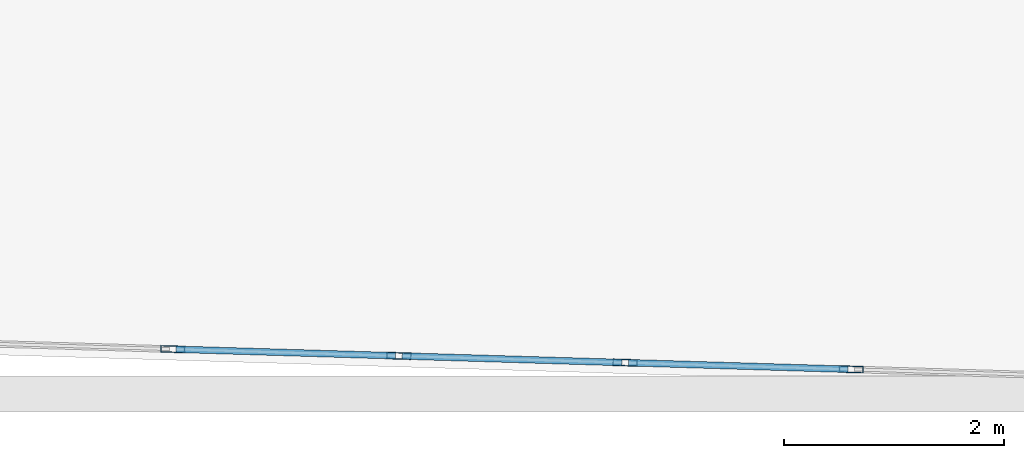
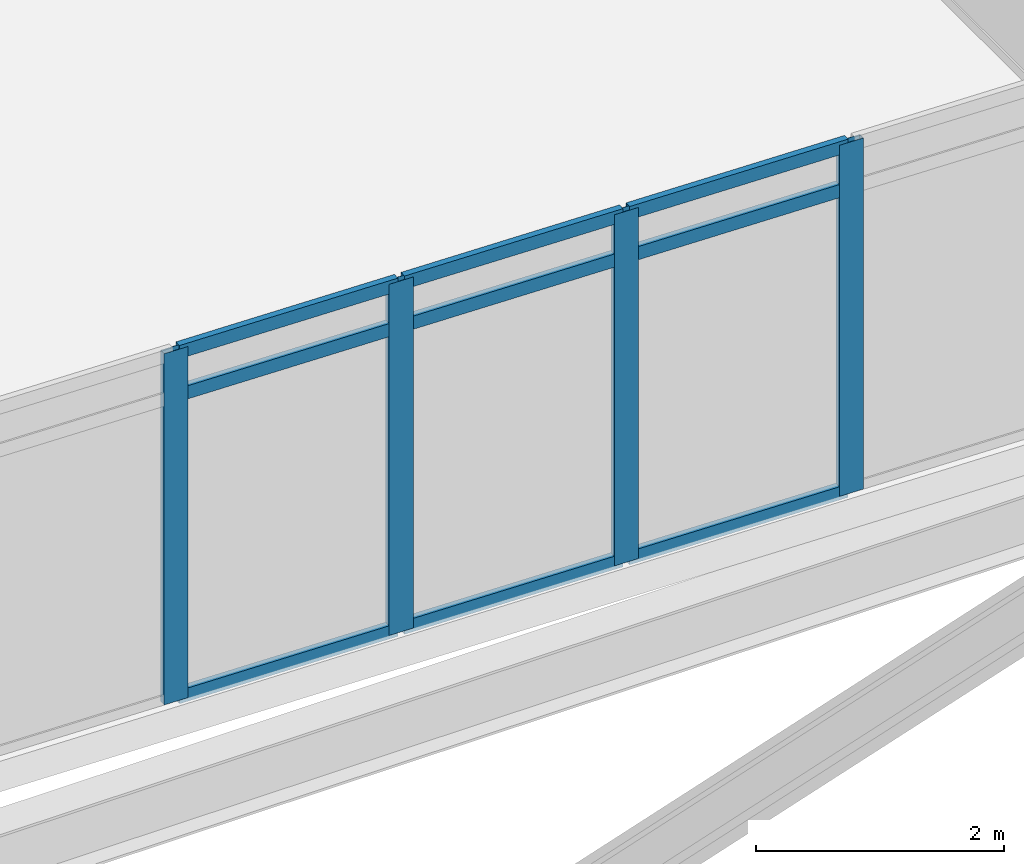
# One storey, part 9 of 37: 13 members, 1 element without a shape of its own.
"""IFC4 building model written with IfcOpenShell, lengths in metres."""

from ifc_helpers import new_model, si_unit, direction, frame, origin, origin_2d, place, context, subcontext, project, spatial, hollow_rectangle, extrude, material, material_profile, profile_set, type_object, element, aggregate, save


model = new_model("IFC4")

# Units and contexts
model_context = context("Model", 3, precision=1e-05, world=origin(), true_north=direction((0.0, 1.0)))
body_context = subcontext(model_context, "Body", "Model", "MODEL_VIEW")
ifc_project = project(units=[si_unit("LENGTHUNIT", "METRE"), si_unit("AREAUNIT", "SQUARE_METRE"), si_unit("VOLUMEUNIT", "CUBIC_METRE"), si_unit("PLANEANGLEUNIT", "RADIAN"), si_unit("MASSUNIT", "GRAM", prefix="KILO")], contexts=[model_context])

# Site, building, storey
site_placement = place(None, origin())
site = spatial("IfcSite", under=ifc_project, at=site_placement, CompositionType="ELEMENT")
building_placement = place(site_placement, origin())
building = spatial("IfcBuilding", under=site, at=building_placement, Name="Ostrander Bayou Hotel Tower", CompositionType="ELEMENT")
storey_placement = place(building_placement, frame((0.0, 0.0, 93.0)))
storey = spatial("IfcBuildingStorey", under=building, at=storey_placement, Name="L23", CompositionType="ELEMENT", Elevation=93.0)

# Curtain wall, members
ifc_material_1 = material(Name="Aluminium and clear glass", Category="aluminium")
curtain_wall_type = type_object("IfcCurtainWallType", Name="CW-BAR glazed wall", PredefinedType="NOTDEFINED", material=ifc_material_1)
curtain_wall_placement = place(storey_placement, origin())
curtain_wall = element("IfcCurtainWall", 1, at=curtain_wall_placement, inside=storey, type_object=curtain_wall_type, Name="CW-BAR L23:SB2S:T", PredefinedType="NOTDEFINED")
ifc_material_2 = material(Name="Aluminium", Category="aluminium")
ifc_material_profile_1 = material_profile(ifc_material_2, hollow_rectangle(XDim=0.06005859375, YDim=0.219970703125, WallThickness=0.00390625, at=origin_2d()))
ifc_profile_set_1 = profile_set([ifc_material_profile_1], Name="Aluminium")
member_type_1 = type_object("IfcMemberType", Name="CW-BR mullion 60 x 220 mm", PredefinedType="MULLION", material=ifc_profile_set_1)
member_1_placement = place(storey_placement, frame((3.084716796875, -31.791748046875, 0.0), z_axis=(0.0, 0.0, 1.0), x_axis=(0.029746242041, 0.999557482631, 0.0)))
member_1 = element("IfcMember", 2, at=member_1_placement, type_object=member_type_1, Name="CW-BAR mullion 9", PredefinedType="MULLION", context=body_context, shape_type="SweptSolid", body=[
    extrude(hollow_rectangle(XDim=0.06005859375, YDim=0.219970703125, WallThickness=0.00390625, at=origin_2d()), origin(), (0.0, 0.0, 1.0), 3.449951171875),
])
member_2_placement = place(storey_placement, frame((5.14111328125, -31.85302734375, 0.0), z_axis=(0.0, 0.0, 1.0), x_axis=(0.029746242041, 0.999557482631, 0.0)))
member_2 = element("IfcMember", 3, at=member_2_placement, type_object=member_type_1, Name="CW-BAR mullion 10", PredefinedType="MULLION", context=body_context, shape_type="SweptSolid", body=[
    extrude(hollow_rectangle(XDim=0.06005859375, YDim=0.219970703125, WallThickness=0.00390625, at=origin_2d()), origin(), (0.0, 0.0, 1.0), 3.449951171875),
])
member_3_placement = place(storey_placement, frame((7.19775390625, -31.914306640625, 0.0), z_axis=(0.0, 0.0, 1.0), x_axis=(0.029746242041, 0.999557482631, 0.0)))
member_3 = element("IfcMember", 4, at=member_3_placement, type_object=member_type_1, Name="CW-BAR mullion 11", PredefinedType="MULLION", context=body_context, shape_type="SweptSolid", body=[
    extrude(hollow_rectangle(XDim=0.06005859375, YDim=0.219970703125, WallThickness=0.00390625, at=origin_2d()), origin(), (0.0, 0.0, 1.0), 3.449951171875),
])
member_4_placement = place(storey_placement, frame((9.254150390625, -31.975341796875, 0.0), z_axis=(0.0, 0.0, 1.0), x_axis=(0.029746242041, 0.999557482631, 0.0)))
member_4 = element("IfcMember", 5, at=member_4_placement, type_object=member_type_1, Name="CW-BAR mullion 12", PredefinedType="MULLION", context=body_context, shape_type="SweptSolid", body=[
    extrude(hollow_rectangle(XDim=0.06005859375, YDim=0.219970703125, WallThickness=0.00390625, at=origin_2d()), origin(), (0.0, 0.0, 1.0), 3.449951171875),
])
ifc_material_3 = material(Name="Aluminium", Category="aluminium")
ifc_material_profile_2 = material_profile(ifc_material_3, hollow_rectangle(XDim=0.06005859375, YDim=0.1298828125, WallThickness=0.00390625, at=origin_2d()))
ifc_profile_set_2 = profile_set([ifc_material_profile_2], Name="Aluminium")
member_type_2 = type_object("IfcMemberType", Name="CW-BR transom 60 x 130 mm", PredefinedType="USERDEFINED", material=ifc_profile_set_2)
member_5_placement = place(storey_placement, frame((3.11474609375, -31.792724609375, 0.030029296875), z_axis=(0.999558835181, -0.029700757758, 0.0), x_axis=(0.029700757758, 0.999558835181, 0.0)))
member_5 = element("IfcMember", 6, at=member_5_placement, type_object=member_type_2, Name="CW-BAR transom 9.1", ObjectType="TRANSOM", PredefinedType="USERDEFINED", context=body_context, shape_type="SweptSolid", body=[
    extrude(hollow_rectangle(XDim=0.06005859375, YDim=0.1298828125, WallThickness=0.00390625, at=origin_2d()), origin(), (0.0, 0.0, 1.0), 1.99755859375),
])
member_6_placement = place(storey_placement, frame((3.11474609375, -31.792724609375, 3.0), z_axis=(0.999558835181, -0.029700757758, 0.0), x_axis=(0.029700757758, 0.999558835181, 0.0)))
member_6 = element("IfcMember", 7, at=member_6_placement, type_object=member_type_2, Name="CW-BAR transom 9.2", ObjectType="TRANSOM", PredefinedType="USERDEFINED", context=body_context, shape_type="SweptSolid", body=[
    extrude(hollow_rectangle(XDim=0.06005859375, YDim=0.1298828125, WallThickness=0.00390625, at=origin_2d()), origin(), (0.0, 0.0, 1.0), 1.99755859375),
])
member_7_placement = place(storey_placement, frame((3.11474609375, -31.792724609375, 3.419921875), z_axis=(0.999558835181, -0.029700757758, 0.0), x_axis=(0.029700757758, 0.999558835181, 0.0)))
member_7 = element("IfcMember", 8, at=member_7_placement, type_object=member_type_2, Name="CW-BAR transom 9.3", ObjectType="TRANSOM", PredefinedType="USERDEFINED", context=body_context, shape_type="SweptSolid", body=[
    extrude(hollow_rectangle(XDim=0.06005859375, YDim=0.1298828125, WallThickness=0.00390625, at=origin_2d()), origin(), (0.0, 0.0, 1.0), 1.99755859375),
])
member_8_placement = place(storey_placement, frame((5.171142578125, -31.85400390625, 0.030029296875), z_axis=(0.999558835181, -0.029700757758, 0.0), x_axis=(0.029700757758, 0.999558835181, 0.0)))
member_8 = element("IfcMember", 9, at=member_8_placement, type_object=member_type_2, Name="CW-BAR transom 10.1", ObjectType="TRANSOM", PredefinedType="USERDEFINED", context=body_context, shape_type="SweptSolid", body=[
    extrude(hollow_rectangle(XDim=0.06005859375, YDim=0.1298828125, WallThickness=0.00390625, at=origin_2d()), origin(), (0.0, 0.0, 1.0), 1.99755859375),
])
member_9_placement = place(storey_placement, frame((5.171142578125, -31.85400390625, 3.0), z_axis=(0.999558835181, -0.029700757758, 0.0), x_axis=(0.029700757758, 0.999558835181, 0.0)))
member_9 = element("IfcMember", 10, at=member_9_placement, type_object=member_type_2, Name="CW-BAR transom 10.2", ObjectType="TRANSOM", PredefinedType="USERDEFINED", context=body_context, shape_type="SweptSolid", body=[
    extrude(hollow_rectangle(XDim=0.06005859375, YDim=0.1298828125, WallThickness=0.00390625, at=origin_2d()), origin(), (0.0, 0.0, 1.0), 1.99755859375),
])
member_10_placement = place(storey_placement, frame((5.171142578125, -31.85400390625, 3.419921875), z_axis=(0.999558835181, -0.029700757758, 0.0), x_axis=(0.029700757758, 0.999558835181, 0.0)))
member_10 = element("IfcMember", 11, at=member_10_placement, type_object=member_type_2, Name="CW-BAR transom 10.3", ObjectType="TRANSOM", PredefinedType="USERDEFINED", context=body_context, shape_type="SweptSolid", body=[
    extrude(hollow_rectangle(XDim=0.06005859375, YDim=0.1298828125, WallThickness=0.00390625, at=origin_2d()), origin(), (0.0, 0.0, 1.0), 1.99755859375),
])
member_11_placement = place(storey_placement, frame((7.227783203125, -31.9150390625, 0.030029296875), z_axis=(0.999555090424, -0.029826518535, 0.0), x_axis=(0.029826518535, 0.999555090424, 0.0)))
member_11 = element("IfcMember", 12, at=member_11_placement, type_object=member_type_2, Name="CW-BAR transom 11.1", ObjectType="TRANSOM", PredefinedType="USERDEFINED", context=body_context, shape_type="SweptSolid", body=[
    extrude(hollow_rectangle(XDim=0.06005859375, YDim=0.1298828125, WallThickness=0.00390625, at=origin_2d()), origin(), (0.0, 0.0, 1.0), 1.997314453125),
])
member_12_placement = place(storey_placement, frame((7.227783203125, -31.9150390625, 3.0), z_axis=(0.999555090424, -0.029826518535, 0.0), x_axis=(0.029826518535, 0.999555090424, 0.0)))
member_12 = element("IfcMember", 13, at=member_12_placement, type_object=member_type_2, Name="CW-BAR transom 11.2", ObjectType="TRANSOM", PredefinedType="USERDEFINED", context=body_context, shape_type="SweptSolid", body=[
    extrude(hollow_rectangle(XDim=0.06005859375, YDim=0.1298828125, WallThickness=0.00390625, at=origin_2d()), origin(), (0.0, 0.0, 1.0), 1.997314453125),
])
member_13_placement = place(storey_placement, frame((7.227783203125, -31.9150390625, 3.419921875), z_axis=(0.999555090424, -0.029826518535, 0.0), x_axis=(0.029826518535, 0.999555090424, 0.0)))
member_13 = element("IfcMember", 14, at=member_13_placement, type_object=member_type_2, Name="CW-BAR transom 11.3", ObjectType="TRANSOM", PredefinedType="USERDEFINED", context=body_context, shape_type="SweptSolid", body=[
    extrude(hollow_rectangle(XDim=0.06005859375, YDim=0.1298828125, WallThickness=0.00390625, at=origin_2d()), origin(), (0.0, 0.0, 1.0), 1.997314453125),
])
aggregate(curtain_wall, [member_1, member_2, member_3, member_4, member_5, member_6, member_7, member_8, member_9, member_10, member_11, member_12, member_13])

save(model, "model.ifc")
